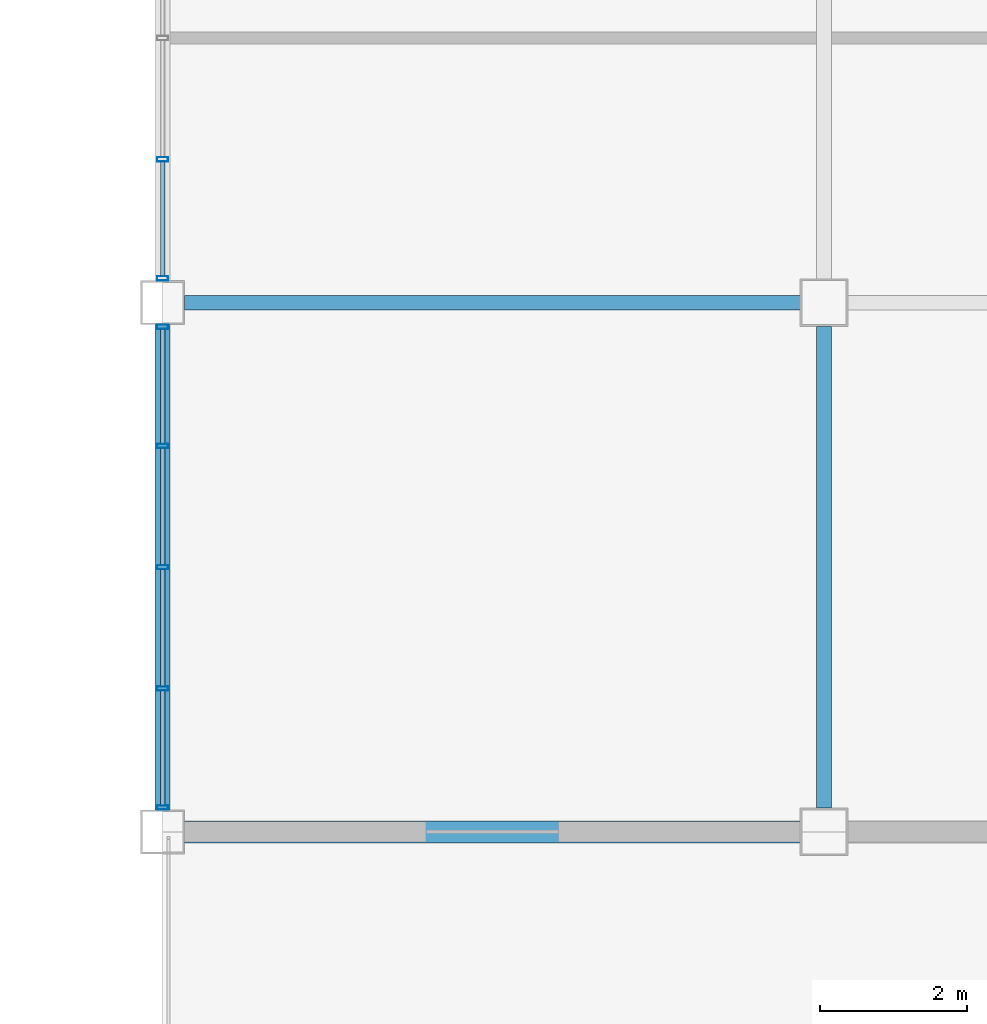
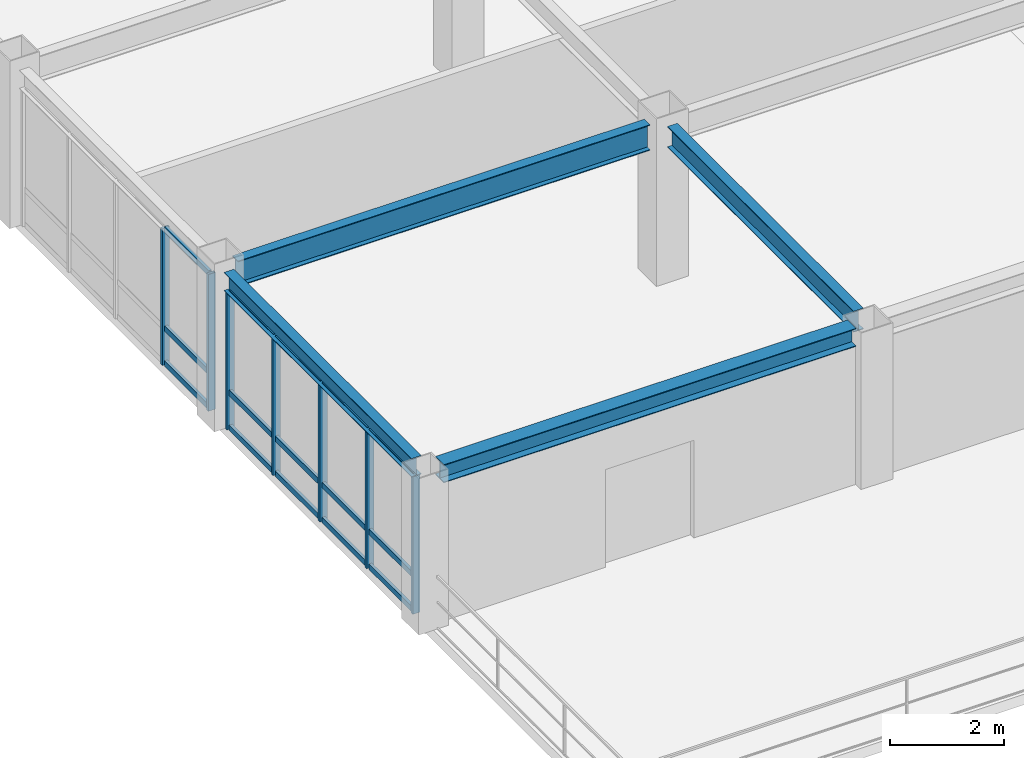
# One storey, part 14 of 34: 22 members, 4 beams, 2 elements without a shape of their own.
"""IFC4 building model written with IfcOpenShell, lengths in metres."""

from ifc_helpers import new_model, si_unit, direction, frame, origin, origin_2d, place, context, subcontext, project, spatial, hollow_rectangle, i_section, extrude, material, material_profile, profile_set, type_object, element, aggregate, save


model = new_model("IFC4")

# Units and contexts
model_context = context("Model", 3, precision=1e-05, world=origin(), true_north=direction((0.0, 1.0)))
body_context = subcontext(model_context, "Body", "Model", "MODEL_VIEW")
ifc_project = project(units=[si_unit("LENGTHUNIT", "METRE"), si_unit("AREAUNIT", "SQUARE_METRE"), si_unit("VOLUMEUNIT", "CUBIC_METRE"), si_unit("PLANEANGLEUNIT", "RADIAN"), si_unit("MASSUNIT", "GRAM", prefix="KILO")], contexts=[model_context])

# Site, building, storey
site_placement = place(None, origin())
site = spatial("IfcSite", under=ifc_project, at=site_placement, CompositionType="ELEMENT")
building_placement = place(site_placement, origin())
building = spatial("IfcBuilding", under=site, at=building_placement, Name="Kazanami Central Library", CompositionType="ELEMENT")
storey_placement = place(building_placement, frame((0.0, 0.0, 17.0)))
storey = spatial("IfcBuildingStorey", under=building, at=storey_placement, Name="L05", CompositionType="ELEMENT", Elevation=17.0)

# Beams
ifc_material_1 = material(Name="Steel SN490B (325 MPa)", Category="steel")
ifc_material_profile_1 = material_profile(ifc_material_1, i_section(OverallWidth=0.199951171875, OverallDepth=0.550048828125, WebThickness=0.010009765625, FlangeThickness=0.01611328125, at=origin_2d()), Name="H-550x200x10x16")
ifc_profile_set_1 = profile_set([ifc_material_profile_1], Name="Steel SN490B (325 MPa)")
beam_type_1 = type_object("IfcBeamType", Name="BM-G-X3", PredefinedType="BEAM", material=ifc_profile_set_1)
beam_1_placement = place(storey_placement, frame((117.298095703125, 57.60009765625, 3.06494140625), z_axis=(1.0, 0.0, 0.0), x_axis=(0.0, 1.0, 0.0)))
element("IfcBeam", 1, at=beam_1_placement, inside=storey, type_object=beam_type_1, Name="Girder G-X3 L05 J/14-15", PredefinedType="BEAM", context=body_context, shape_type="SweptSolid", body=[
    extrude(i_section(OverallWidth=0.199951171875, OverallDepth=0.550048828125, WebThickness=0.010009765625, FlangeThickness=0.01611328125, at=origin_2d()), origin(), (0.0, 0.0, 1.0), 8.37890625),
])
ifc_material_profile_2 = material_profile(ifc_material_1, i_section(OverallWidth=0.199951171875, OverallDepth=0.449951171875, WebThickness=0.009033203125, FlangeThickness=0.013916015625, at=origin_2d()), Name="H-450x200x9x14")
ifc_profile_set_2 = profile_set([ifc_material_profile_2], Name="Steel SN490B (325 MPa)")
beam_type_2 = type_object("IfcBeamType", Name="BM-G-Y3", PredefinedType="BEAM", material=ifc_profile_set_2)
beam_2_placement = place(storey_placement, frame((126.0, 50.722900390625, 3.135009765625), z_axis=(0.0, 1.0, 0.0), x_axis=(-1.0, 0.0, 0.0)))
element("IfcBeam", 2, at=beam_2_placement, inside=storey, type_object=beam_type_2, Name="Girder G-Y3 L05 15/H-J", PredefinedType="BEAM", context=body_context, shape_type="SweptSolid", body=[
    extrude(i_section(OverallWidth=0.199951171875, OverallDepth=0.449951171875, WebThickness=0.009033203125, FlangeThickness=0.013916015625, at=origin_2d()), origin(), (0.0, 0.0, 1.0), 6.55419921875),
])
ifc_material_profile_3 = material_profile(ifc_material_1, i_section(OverallWidth=0.199951171875, OverallDepth=0.39990234375, WebThickness=0.008056640625, FlangeThickness=0.012939453125, at=origin_2d()), Name="H-400x200x8x13")
ifc_profile_set_3 = profile_set([ifc_material_profile_3], Name="Steel SN490B (325 MPa)")
beam_type_3 = type_object("IfcBeamType", Name="BM-SP-3", PredefinedType="SPANDREL", material=ifc_profile_set_3)
beam_3_placement = place(storey_placement, frame((117.0, 50.697998046875, 3.159912109375), z_axis=(0.0, 1.0, 0.0), x_axis=(-1.0, 0.0, 0.0)))
element("IfcBeam", 3, at=beam_3_placement, inside=storey, type_object=beam_type_3, Name="Girder SP-3 L05 14/H-J", PredefinedType="SPANDREL", context=body_context, shape_type="SweptSolid", body=[
    extrude(i_section(OverallWidth=0.199951171875, OverallDepth=0.39990234375, WebThickness=0.008056640625, FlangeThickness=0.012939453125, at=origin_2d()), origin(), (0.0, 0.0, 1.0), 6.60400390625),
])
ifc_material_profile_4 = material_profile(ifc_material_1, i_section(OverallWidth=0.300048828125, OverallDepth=0.389892578125, WebThickness=0.010009765625, FlangeThickness=0.01611328125, at=origin_2d()), Name="H-390x300x10x16")
ifc_profile_set_4 = profile_set([ifc_material_profile_4], Name="Steel SN490B (325 MPa)")
beam_type_4 = type_object("IfcBeamType", Name="BM-SP-4", PredefinedType="SPANDREL", material=ifc_profile_set_4)
beam_4_placement = place(storey_placement, frame((117.298095703125, 50.39990234375, 3.1650390625), z_axis=(1.0, 0.0, 0.0), x_axis=(0.0, 1.0, 0.0)))
element("IfcBeam", 4, at=beam_4_placement, inside=storey, type_object=beam_type_4, Name="Girder SP-4 L05 H/14-15", PredefinedType="SPANDREL", context=body_context, shape_type="SweptSolid", body=[
    extrude(i_section(OverallWidth=0.300048828125, OverallDepth=0.389892578125, WebThickness=0.010009765625, FlangeThickness=0.01611328125, at=origin_2d()), origin(), (0.0, 0.0, 1.0), 8.37890625),
])

# Curtain wall, members
ifc_material_2 = material(Name="Acid-Etched Low-E Laminated Glass", Category="glass")
curtain_wall_type_1 = type_object("IfcCurtainWallType", Name="CW-6600x2960-M180", PredefinedType="USERDEFINED", material=ifc_material_2)
curtain_wall_1_placement = place(storey_placement, origin())
curtain_wall_1 = element("IfcCurtainWall", 5, at=curtain_wall_1_placement, inside=storey, type_object=curtain_wall_type_1, Name="Covered Link Bridge Curtain Wall CW-53 L05 W-14-07", ObjectType="UNITISED CURTAIN WALL", PredefinedType="USERDEFINED")
ifc_material_3 = material(Name="Anodised Aluminium A6063-T5", Category="aluminium")
ifc_material_profile_5 = material_profile(ifc_material_3, hollow_rectangle(XDim=0.06005859375, YDim=0.14990234375, WallThickness=0.00390625, at=origin_2d()), Name="ALU-MULL-60x150x4")
ifc_profile_set_5 = profile_set([ifc_material_profile_5], Name="Anodised Aluminium A6063-T5")
member_type_1 = type_object("IfcMemberType", Name="MEM-CW-M3", PredefinedType="MULLION", material=ifc_profile_set_5)
member_1_placement = place(storey_placement, frame((117.0, 50.72998046875, 0.0), z_axis=(0.0, 0.0, 1.0), x_axis=(0.0, 1.0, 0.0)))
member_1 = element("IfcMember", 6, at=member_1_placement, type_object=member_type_1, Name="CW-53 mullion 1", PredefinedType="MULLION", context=body_context, shape_type="SweptSolid", body=[
    extrude(hollow_rectangle(XDim=0.06005859375, YDim=0.14990234375, WallThickness=0.00390625, at=origin_2d()), origin(), (0.0, 0.0, 1.0), 2.9599609375),
])
member_2_placement = place(storey_placement, frame((117.0, 52.35009765625, 0.0), z_axis=(0.0, 0.0, 1.0), x_axis=(0.0, 1.0, 0.0)))
member_2 = element("IfcMember", 7, at=member_2_placement, type_object=member_type_1, Name="CW-53 mullion 2", PredefinedType="MULLION", context=body_context, shape_type="SweptSolid", body=[
    extrude(hollow_rectangle(XDim=0.06005859375, YDim=0.14990234375, WallThickness=0.00390625, at=origin_2d()), origin(), (0.0, 0.0, 1.0), 2.9599609375),
])
member_3_placement = place(storey_placement, frame((117.0, 54.0, 0.0), z_axis=(0.0, 0.0, 1.0), x_axis=(0.0, 1.0, 0.0)))
member_3 = element("IfcMember", 8, at=member_3_placement, type_object=member_type_1, Name="CW-53 mullion 3", PredefinedType="MULLION", context=body_context, shape_type="SweptSolid", body=[
    extrude(hollow_rectangle(XDim=0.06005859375, YDim=0.14990234375, WallThickness=0.00390625, at=origin_2d()), origin(), (0.0, 0.0, 1.0), 2.9599609375),
])
member_4_placement = place(storey_placement, frame((117.0, 55.64990234375, 0.0), z_axis=(0.0, 0.0, 1.0), x_axis=(0.0, 1.0, 0.0)))
member_4 = element("IfcMember", 9, at=member_4_placement, type_object=member_type_1, Name="CW-53 mullion 4", PredefinedType="MULLION", context=body_context, shape_type="SweptSolid", body=[
    extrude(hollow_rectangle(XDim=0.06005859375, YDim=0.14990234375, WallThickness=0.00390625, at=origin_2d()), origin(), (0.0, 0.0, 1.0), 2.9599609375),
])
member_5_placement = place(storey_placement, frame((117.0, 57.27001953125, 0.0), z_axis=(0.0, 0.0, 1.0), x_axis=(0.0, 1.0, 0.0)))
member_5 = element("IfcMember", 10, at=member_5_placement, type_object=member_type_1, Name="CW-53 mullion 5", PredefinedType="MULLION", context=body_context, shape_type="SweptSolid", body=[
    extrude(hollow_rectangle(XDim=0.06005859375, YDim=0.14990234375, WallThickness=0.00390625, at=origin_2d()), origin(), (0.0, 0.0, 1.0), 2.9599609375),
])

curtain_wall_type_2 = type_object("IfcCurtainWallType", Name="CW-6600x2940-M180", PredefinedType="USERDEFINED", material=ifc_material_2)
curtain_wall_2_placement = place(storey_placement, origin())
curtain_wall_2 = element("IfcCurtainWall", 11, at=curtain_wall_2_placement, inside=storey, type_object=curtain_wall_type_2, Name="Covered Link Bridge Curtain Wall CW-54 L05 W-14-08", ObjectType="UNITISED CURTAIN WALL", PredefinedType="USERDEFINED")
member_6_placement = place(storey_placement, frame((117.0, 57.929931640625, 0.0), z_axis=(0.0, 0.0, 1.0), x_axis=(0.0, 1.0, 0.0)))
member_6 = element("IfcMember", 12, at=member_6_placement, type_object=member_type_1, Name="CW-54 mullion 1", PredefinedType="MULLION", context=body_context, shape_type="SweptSolid", body=[
    extrude(hollow_rectangle(XDim=0.06005859375, YDim=0.14990234375, WallThickness=0.00390625, at=origin_2d()), origin(), (0.0, 0.0, 1.0), 2.93994140625),
])
member_7_placement = place(storey_placement, frame((117.0, 59.550048828125, 0.0), z_axis=(0.0, 0.0, 1.0), x_axis=(0.0, 1.0, 0.0)))
member_7 = element("IfcMember", 13, at=member_7_placement, type_object=member_type_1, Name="CW-54 mullion 2", PredefinedType="MULLION", context=body_context, shape_type="SweptSolid", body=[
    extrude(hollow_rectangle(XDim=0.06005859375, YDim=0.14990234375, WallThickness=0.00390625, at=origin_2d()), origin(), (0.0, 0.0, 1.0), 2.93994140625),
])

# Member
ifc_material_profile_6 = material_profile(ifc_material_3, hollow_rectangle(XDim=0.06005859375, YDim=0.1201171875, WallThickness=0.00341796875, at=origin_2d()), Name="ALU-TRAN-60x120x3.5")
ifc_profile_set_6 = profile_set([ifc_material_profile_6], Name="Anodised Aluminium A6063-T5")
member_type_2 = type_object("IfcMemberType", Name="MEM-CW-T3", PredefinedType="USERDEFINED", material=ifc_profile_set_6)
member_8_placement = place(storey_placement, frame((117.0, 50.760009765625, 0.030029296875), z_axis=(0.0, 1.0, 0.0), x_axis=(-1.0, 0.0, 0.0)))
member_8 = element("IfcMember", 14, at=member_8_placement, type_object=member_type_2, Name="CW-53 transom 1.1", ObjectType="TRANSOM", PredefinedType="USERDEFINED", context=body_context, shape_type="SweptSolid", body=[
    extrude(hollow_rectangle(XDim=0.06005859375, YDim=0.1201171875, WallThickness=0.00341796875, at=origin_2d()), origin(), (0.0, 0.0, 1.0), 1.56005859375),
])

member_9_placement = place(storey_placement, frame((117.0, 50.760009765625, 0.780029296875), z_axis=(0.0, 1.0, 0.0), x_axis=(-1.0, 0.0, 0.0)))
member_9 = element("IfcMember", 15, at=member_9_placement, type_object=member_type_2, Name="CW-53 transom 1.2", ObjectType="TRANSOM", PredefinedType="USERDEFINED", context=body_context, shape_type="SweptSolid", body=[
    extrude(hollow_rectangle(XDim=0.06005859375, YDim=0.1201171875, WallThickness=0.00341796875, at=origin_2d()), origin(), (0.0, 0.0, 1.0), 1.56005859375),
])

member_10_placement = place(storey_placement, frame((117.0, 50.760009765625, 2.929931640625), z_axis=(0.0, 1.0, 0.0), x_axis=(-1.0, 0.0, 0.0)))
member_10 = element("IfcMember", 16, at=member_10_placement, type_object=member_type_2, Name="CW-53 transom 1.3", ObjectType="TRANSOM", PredefinedType="USERDEFINED", context=body_context, shape_type="SweptSolid", body=[
    extrude(hollow_rectangle(XDim=0.06005859375, YDim=0.1201171875, WallThickness=0.00341796875, at=origin_2d()), origin(), (0.0, 0.0, 1.0), 1.56005859375),
])

member_11_placement = place(storey_placement, frame((117.0, 52.3798828125, 0.030029296875), z_axis=(0.0, 1.0, 0.0), x_axis=(-1.0, 0.0, 0.0)))
member_11 = element("IfcMember", 17, at=member_11_placement, type_object=member_type_2, Name="CW-53 transom 2.1", ObjectType="TRANSOM", PredefinedType="USERDEFINED", context=body_context, shape_type="SweptSolid", body=[
    extrude(hollow_rectangle(XDim=0.06005859375, YDim=0.1201171875, WallThickness=0.00341796875, at=origin_2d()), origin(), (0.0, 0.0, 1.0), 1.590087890625),
])

member_12_placement = place(storey_placement, frame((117.0, 52.3798828125, 0.780029296875), z_axis=(0.0, 1.0, 0.0), x_axis=(-1.0, 0.0, 0.0)))
member_12 = element("IfcMember", 18, at=member_12_placement, type_object=member_type_2, Name="CW-53 transom 2.2", ObjectType="TRANSOM", PredefinedType="USERDEFINED", context=body_context, shape_type="SweptSolid", body=[
    extrude(hollow_rectangle(XDim=0.06005859375, YDim=0.1201171875, WallThickness=0.00341796875, at=origin_2d()), origin(), (0.0, 0.0, 1.0), 1.590087890625),
])

member_13_placement = place(storey_placement, frame((117.0, 52.3798828125, 2.929931640625), z_axis=(0.0, 1.0, 0.0), x_axis=(-1.0, 0.0, 0.0)))
member_13 = element("IfcMember", 19, at=member_13_placement, type_object=member_type_2, Name="CW-53 transom 2.3", ObjectType="TRANSOM", PredefinedType="USERDEFINED", context=body_context, shape_type="SweptSolid", body=[
    extrude(hollow_rectangle(XDim=0.06005859375, YDim=0.1201171875, WallThickness=0.00341796875, at=origin_2d()), origin(), (0.0, 0.0, 1.0), 1.590087890625),
])

member_14_placement = place(storey_placement, frame((117.0, 54.030029296875, 0.030029296875), z_axis=(0.0, 1.0, 0.0), x_axis=(-1.0, 0.0, 0.0)))
member_14 = element("IfcMember", 20, at=member_14_placement, type_object=member_type_2, Name="CW-53 transom 3.1", ObjectType="TRANSOM", PredefinedType="USERDEFINED", context=body_context, shape_type="SweptSolid", body=[
    extrude(hollow_rectangle(XDim=0.06005859375, YDim=0.1201171875, WallThickness=0.00341796875, at=origin_2d()), origin(), (0.0, 0.0, 1.0), 1.590087890625),
])

member_15_placement = place(storey_placement, frame((117.0, 54.030029296875, 0.780029296875), z_axis=(0.0, 1.0, 0.0), x_axis=(-1.0, 0.0, 0.0)))
member_15 = element("IfcMember", 21, at=member_15_placement, type_object=member_type_2, Name="CW-53 transom 3.2", ObjectType="TRANSOM", PredefinedType="USERDEFINED", context=body_context, shape_type="SweptSolid", body=[
    extrude(hollow_rectangle(XDim=0.06005859375, YDim=0.1201171875, WallThickness=0.00341796875, at=origin_2d()), origin(), (0.0, 0.0, 1.0), 1.590087890625),
])

member_16_placement = place(storey_placement, frame((117.0, 54.030029296875, 2.929931640625), z_axis=(0.0, 1.0, 0.0), x_axis=(-1.0, 0.0, 0.0)))
member_16 = element("IfcMember", 22, at=member_16_placement, type_object=member_type_2, Name="CW-53 transom 3.3", ObjectType="TRANSOM", PredefinedType="USERDEFINED", context=body_context, shape_type="SweptSolid", body=[
    extrude(hollow_rectangle(XDim=0.06005859375, YDim=0.1201171875, WallThickness=0.00341796875, at=origin_2d()), origin(), (0.0, 0.0, 1.0), 1.590087890625),
])

member_17_placement = place(storey_placement, frame((117.0, 55.679931640625, 0.030029296875), z_axis=(0.0, 1.0, 0.0), x_axis=(-1.0, 0.0, 0.0)))
member_17 = element("IfcMember", 23, at=member_17_placement, type_object=member_type_2, Name="CW-53 transom 4.1", ObjectType="TRANSOM", PredefinedType="USERDEFINED", context=body_context, shape_type="SweptSolid", body=[
    extrude(hollow_rectangle(XDim=0.06005859375, YDim=0.1201171875, WallThickness=0.00341796875, at=origin_2d()), origin(), (0.0, 0.0, 1.0), 1.56005859375),
])

member_18_placement = place(storey_placement, frame((117.0, 55.679931640625, 0.780029296875), z_axis=(0.0, 1.0, 0.0), x_axis=(-1.0, 0.0, 0.0)))
member_18 = element("IfcMember", 24, at=member_18_placement, type_object=member_type_2, Name="CW-53 transom 4.2", ObjectType="TRANSOM", PredefinedType="USERDEFINED", context=body_context, shape_type="SweptSolid", body=[
    extrude(hollow_rectangle(XDim=0.06005859375, YDim=0.1201171875, WallThickness=0.00341796875, at=origin_2d()), origin(), (0.0, 0.0, 1.0), 1.56005859375),
])

member_19_placement = place(storey_placement, frame((117.0, 55.679931640625, 2.929931640625), z_axis=(0.0, 1.0, 0.0), x_axis=(-1.0, 0.0, 0.0)))
member_19 = element("IfcMember", 25, at=member_19_placement, type_object=member_type_2, Name="CW-53 transom 4.3", ObjectType="TRANSOM", PredefinedType="USERDEFINED", context=body_context, shape_type="SweptSolid", body=[
    extrude(hollow_rectangle(XDim=0.06005859375, YDim=0.1201171875, WallThickness=0.00341796875, at=origin_2d()), origin(), (0.0, 0.0, 1.0), 1.56005859375),
])

aggregate(curtain_wall_1, [member_1, member_2, member_3, member_4, member_5, member_8, member_9, member_10, member_11, member_12, member_13, member_14, member_15, member_16, member_17, member_18, member_19])

member_20_placement = place(storey_placement, frame((117.0, 57.9599609375, 0.030029296875), z_axis=(0.0, 1.0, 0.0), x_axis=(-1.0, 0.0, 0.0)))
member_20 = element("IfcMember", 26, at=member_20_placement, type_object=member_type_2, Name="CW-54 transom 1.1", ObjectType="TRANSOM", PredefinedType="USERDEFINED", context=body_context, shape_type="SweptSolid", body=[
    extrude(hollow_rectangle(XDim=0.06005859375, YDim=0.1201171875, WallThickness=0.00341796875, at=origin_2d()), origin(), (0.0, 0.0, 1.0), 1.56005859375),
])

member_21_placement = place(storey_placement, frame((117.0, 57.9599609375, 0.780029296875), z_axis=(0.0, 1.0, 0.0), x_axis=(-1.0, 0.0, 0.0)))
member_21 = element("IfcMember", 27, at=member_21_placement, type_object=member_type_2, Name="CW-54 transom 1.2", ObjectType="TRANSOM", PredefinedType="USERDEFINED", context=body_context, shape_type="SweptSolid", body=[
    extrude(hollow_rectangle(XDim=0.06005859375, YDim=0.1201171875, WallThickness=0.00341796875, at=origin_2d()), origin(), (0.0, 0.0, 1.0), 1.56005859375),
])

member_22_placement = place(storey_placement, frame((117.0, 57.9599609375, 2.909912109375), z_axis=(0.0, 1.0, 0.0), x_axis=(-1.0, 0.0, 0.0)))
member_22 = element("IfcMember", 28, at=member_22_placement, type_object=member_type_2, Name="CW-54 transom 1.3", ObjectType="TRANSOM", PredefinedType="USERDEFINED", context=body_context, shape_type="SweptSolid", body=[
    extrude(hollow_rectangle(XDim=0.06005859375, YDim=0.1201171875, WallThickness=0.00341796875, at=origin_2d()), origin(), (0.0, 0.0, 1.0), 1.56005859375),
])

aggregate(curtain_wall_2, [member_6, member_7, member_20, member_21, member_22])

save(model, "model.ifc")
